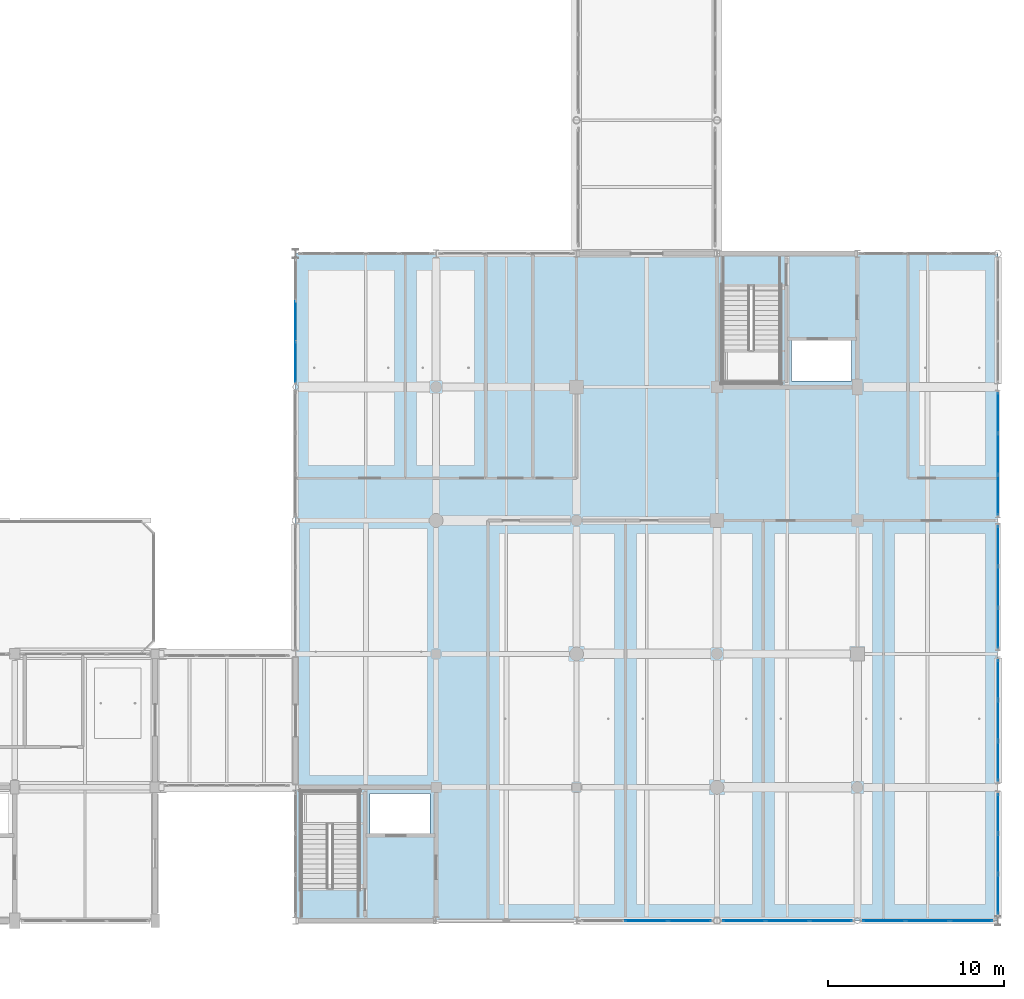
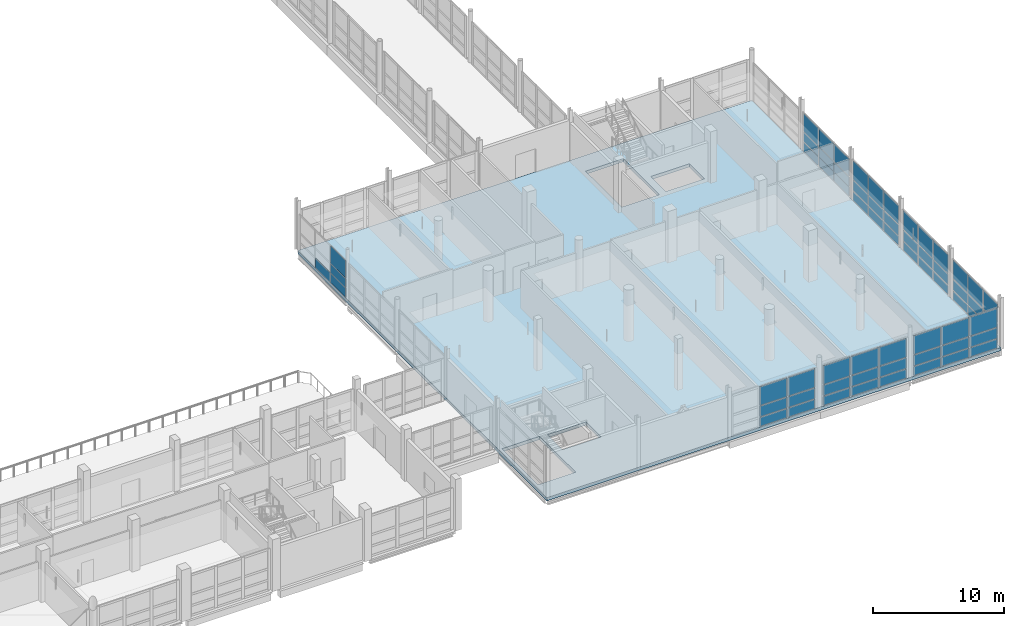
# One storey, part 74 of 147: 64 plates, 1 slab, 8 elements without a shape of their own.
"""IFC4 building model written with IfcOpenShell, lengths in metres."""

from ifc_helpers import new_model, si_unit, direction, frame, origin, origin_2d, place, context, subcontext, project, spatial, polyline, rectangle, outline, extrude, material, layer, layer_set, type_object, element, aggregate, save


model = new_model("IFC4")

# Units and contexts
model_context = context("Model", 3, precision=1e-05, world=origin(), true_north=direction((0.0, 1.0)))
body_context = subcontext(model_context, "Body", "Model", "MODEL_VIEW")
ifc_project = project(units=[si_unit("LENGTHUNIT", "METRE"), si_unit("AREAUNIT", "SQUARE_METRE"), si_unit("VOLUMEUNIT", "CUBIC_METRE"), si_unit("PLANEANGLEUNIT", "RADIAN"), si_unit("MASSUNIT", "GRAM", prefix="KILO")], contexts=[model_context])

# Site, building, storey
site_placement = place(None, origin())
site = spatial("IfcSite", under=ifc_project, at=site_placement, CompositionType="ELEMENT")
building_placement = place(site_placement, origin())
building = spatial("IfcBuilding", under=site, at=building_placement, Name="Khelvaren Railside Concert Hall", CompositionType="ELEMENT")
storey_placement = place(building_placement, frame((0.0, 0.0, 5.39990234375)))
storey = spatial("IfcBuildingStorey", under=building, at=storey_placement, Name="L01", CompositionType="ELEMENT", Elevation=5.39990234375)

# Curtain wall, plates
ifc_material_1 = material(Name="Triple-glazed solar-control glass", Category="glass")
curtain_wall_type_1 = type_object("IfcCurtainWallType", Name="CW41", PredefinedType="USERDEFINED", material=ifc_material_1)
curtain_wall_1_placement = place(storey_placement, origin())
curtain_wall_1 = element("IfcCurtainWall", 1, at=curtain_wall_1_placement, inside=storey, type_object=curtain_wall_type_1, Name="Unitised Curtain Wall CW-V2-L01-E-15", ObjectType="UNITISED CURTAIN WALL", PredefinedType="USERDEFINED")
ifc_layer_1 = layer(ifc_material_1, 0.035888671875)
ifc_layer_set_1 = layer_set([ifc_layer_1], Name="Triple-glazed solar-control glass")
plate_type_1 = type_object("IfcPlateType", Name="CWP53", PredefinedType="CURTAIN_PANEL", material=ifc_layer_set_1)
plate_1_placement = place(storey_placement, frame((184.0, 21.349609375, 0.0751953125), z_axis=(0.0, 0.0, 1.0), x_axis=(0.0, -1.0, 0.0)))
plate_1 = element("IfcPlate", 2, at=plate_1_placement, type_object=plate_type_1, Name="CW41 panel 1.1", PredefinedType="CURTAIN_PANEL", context=body_context, shape_type="SweptSolid", body=[
    extrude(rectangle(XDim=2.245849609375, YDim=0.035888671875, at=origin_2d()), origin(), (0.0, 0.0, 1.0), 0.83740234375),
])
plate_2_placement = place(storey_placement, frame((184.0, 21.349609375, 0.987548828125), z_axis=(0.0, 0.0, 1.0), x_axis=(0.0, -1.0, 0.0)))
plate_2 = element("IfcPlate", 3, at=plate_2_placement, type_object=plate_type_1, Name="CW41 panel 1.2", PredefinedType="CURTAIN_PANEL", context=body_context, shape_type="SweptSolid", body=[
    extrude(rectangle(XDim=2.245849609375, YDim=0.035888671875, at=origin_2d()), origin(), (0.0, 0.0, 1.0), 0.97705078125),
])
plate_3_placement = place(storey_placement, frame((184.0, 21.349609375, 2.03955078125), z_axis=(0.0, 0.0, 1.0), x_axis=(0.0, -1.0, 0.0)))
plate_3 = element("IfcPlate", 4, at=plate_3_placement, type_object=plate_type_1, Name="CW41 panel 1.3", PredefinedType="CURTAIN_PANEL", context=body_context, shape_type="SweptSolid", body=[
    extrude(rectangle(XDim=2.245849609375, YDim=0.035888671875, at=origin_2d()), origin(), (0.0, 0.0, 1.0), 1.735595703125),
])
plate_4_placement = place(storey_placement, frame((184.0, 19.010009765625, 0.0751953125), z_axis=(0.0, 0.0, 1.0), x_axis=(0.0, -1.0, 0.0)))
plate_4 = element("IfcPlate", 5, at=plate_4_placement, type_object=plate_type_1, Name="CW41 panel 2.1", PredefinedType="CURTAIN_PANEL", context=body_context, shape_type="SweptSolid", body=[
    extrude(rectangle(XDim=2.283447265625, YDim=0.035888671875, at=origin_2d()), origin(), (0.0, 0.0, 1.0), 0.83740234375),
])
plate_5_placement = place(storey_placement, frame((184.0, 19.010009765625, 0.987548828125), z_axis=(0.0, 0.0, 1.0), x_axis=(0.0, -1.0, 0.0)))
plate_5 = element("IfcPlate", 6, at=plate_5_placement, type_object=plate_type_1, Name="CW41 panel 2.2", PredefinedType="CURTAIN_PANEL", context=body_context, shape_type="SweptSolid", body=[
    extrude(rectangle(XDim=2.283447265625, YDim=0.035888671875, at=origin_2d()), origin(), (0.0, 0.0, 1.0), 0.97705078125),
])
plate_6_placement = place(storey_placement, frame((184.0, 19.010009765625, 2.03955078125), z_axis=(0.0, 0.0, 1.0), x_axis=(0.0, -1.0, 0.0)))
plate_6 = element("IfcPlate", 7, at=plate_6_placement, type_object=plate_type_1, Name="CW41 panel 2.3", PredefinedType="CURTAIN_PANEL", context=body_context, shape_type="SweptSolid", body=[
    extrude(rectangle(XDim=2.283447265625, YDim=0.035888671875, at=origin_2d()), origin(), (0.0, 0.0, 1.0), 1.735595703125),
])
plate_7_placement = place(storey_placement, frame((184.0, 16.67041015625, 0.0751953125), z_axis=(0.0, 0.0, 1.0), x_axis=(0.0, -1.0, 0.0)))
plate_7 = element("IfcPlate", 8, at=plate_7_placement, type_object=plate_type_1, Name="CW41 panel 3.1", PredefinedType="CURTAIN_PANEL", context=body_context, shape_type="SweptSolid", body=[
    extrude(rectangle(XDim=2.245849609375, YDim=0.035888671875, at=origin_2d()), origin(), (0.0, 0.0, 1.0), 0.83740234375),
])
plate_8_placement = place(storey_placement, frame((184.0, 16.67041015625, 0.987548828125), z_axis=(0.0, 0.0, 1.0), x_axis=(0.0, -1.0, 0.0)))
plate_8 = element("IfcPlate", 9, at=plate_8_placement, type_object=plate_type_1, Name="CW41 panel 3.2", PredefinedType="CURTAIN_PANEL", context=body_context, shape_type="SweptSolid", body=[
    extrude(rectangle(XDim=2.245849609375, YDim=0.035888671875, at=origin_2d()), origin(), (0.0, 0.0, 1.0), 0.97705078125),
])
plate_9_placement = place(storey_placement, frame((184.0, 16.67041015625, 2.03955078125), z_axis=(0.0, 0.0, 1.0), x_axis=(0.0, -1.0, 0.0)))
plate_9 = element("IfcPlate", 10, at=plate_9_placement, type_object=plate_type_1, Name="CW41 panel 3.3", PredefinedType="CURTAIN_PANEL", context=body_context, shape_type="SweptSolid", body=[
    extrude(rectangle(XDim=2.245849609375, YDim=0.035888671875, at=origin_2d()), origin(), (0.0, 0.0, 1.0), 1.735595703125),
])
aggregate(curtain_wall_1, [plate_1, plate_2, plate_3, plate_4, plate_5, plate_6, plate_7, plate_8, plate_9])

curtain_wall_type_2 = type_object("IfcCurtainWallType", Name="CW88", PredefinedType="USERDEFINED", material=ifc_material_1)
curtain_wall_2_placement = place(storey_placement, origin())
curtain_wall_2 = element("IfcCurtainWall", 11, at=curtain_wall_2_placement, inside=storey, type_object=curtain_wall_type_2, Name="Unitised Curtain Wall CW-V2-L01-E-23", ObjectType="UNITISED CURTAIN WALL", PredefinedType="USERDEFINED")
plate_10_placement = place(storey_placement, frame((184.0, 28.933837890625, 0.0751953125), z_axis=(0.0, 0.0, 1.0), x_axis=(0.0, -1.0, 0.0)))
plate_10 = element("IfcPlate", 12, at=plate_10_placement, type_object=plate_type_1, Name="CW88 panel 1.1", PredefinedType="CURTAIN_PANEL", context=body_context, shape_type="SweptSolid", body=[
    extrude(rectangle(XDim=2.24755859375, YDim=0.035888671875, at=origin_2d()), origin(), (0.0, 0.0, 1.0), 0.83740234375),
])
plate_11_placement = place(storey_placement, frame((184.0, 28.933837890625, 0.987548828125), z_axis=(0.0, 0.0, 1.0), x_axis=(0.0, -1.0, 0.0)))
plate_11 = element("IfcPlate", 13, at=plate_11_placement, type_object=plate_type_1, Name="CW88 panel 1.2", PredefinedType="CURTAIN_PANEL", context=body_context, shape_type="SweptSolid", body=[
    extrude(rectangle(XDim=2.24755859375, YDim=0.035888671875, at=origin_2d()), origin(), (0.0, 0.0, 1.0), 0.873046875),
])
plate_12_placement = place(storey_placement, frame((184.0, 28.933837890625, 1.935546875), z_axis=(0.0, 0.0, 1.0), x_axis=(0.0, -1.0, 0.0)))
plate_12 = element("IfcPlate", 14, at=plate_12_placement, type_object=plate_type_1, Name="CW88 panel 1.3", PredefinedType="CURTAIN_PANEL", context=body_context, shape_type="SweptSolid", body=[
    extrude(rectangle(XDim=2.24755859375, YDim=0.035888671875, at=origin_2d()), origin(), (0.0, 0.0, 1.0), 1.639404296875),
])
plate_13_placement = place(storey_placement, frame((184.0, 26.592529296875, 0.0751953125), z_axis=(0.0, 0.0, 1.0), x_axis=(0.0, -1.0, 0.0)))
plate_13 = element("IfcPlate", 15, at=plate_13_placement, type_object=plate_type_1, Name="CW88 panel 2.1", PredefinedType="CURTAIN_PANEL", context=body_context, shape_type="SweptSolid", body=[
    extrude(rectangle(XDim=2.284912109375, YDim=0.035888671875, at=origin_2d()), origin(), (0.0, 0.0, 1.0), 0.83740234375),
])
plate_14_placement = place(storey_placement, frame((184.0, 26.592529296875, 0.987548828125), z_axis=(0.0, 0.0, 1.0), x_axis=(0.0, -1.0, 0.0)))
plate_14 = element("IfcPlate", 16, at=plate_14_placement, type_object=plate_type_1, Name="CW88 panel 2.2", PredefinedType="CURTAIN_PANEL", context=body_context, shape_type="SweptSolid", body=[
    extrude(rectangle(XDim=2.284912109375, YDim=0.035888671875, at=origin_2d()), origin(), (0.0, 0.0, 1.0), 0.873046875),
])
plate_15_placement = place(storey_placement, frame((184.0, 26.592529296875, 1.935546875), z_axis=(0.0, 0.0, 1.0), x_axis=(0.0, -1.0, 0.0)))
plate_15 = element("IfcPlate", 17, at=plate_15_placement, type_object=plate_type_1, Name="CW88 panel 2.3", PredefinedType="CURTAIN_PANEL", context=body_context, shape_type="SweptSolid", body=[
    extrude(rectangle(XDim=2.284912109375, YDim=0.035888671875, at=origin_2d()), origin(), (0.0, 0.0, 1.0), 1.639404296875),
])
plate_16_placement = place(storey_placement, frame((184.0, 24.251220703125, 0.0751953125), z_axis=(0.0, 0.0, 1.0), x_axis=(0.0, -1.0, 0.0)))
plate_16 = element("IfcPlate", 18, at=plate_16_placement, type_object=plate_type_1, Name="CW88 panel 3.1", PredefinedType="CURTAIN_PANEL", context=body_context, shape_type="SweptSolid", body=[
    extrude(rectangle(XDim=2.24755859375, YDim=0.035888671875, at=origin_2d()), origin(), (0.0, 0.0, 1.0), 0.83740234375),
])
plate_17_placement = place(storey_placement, frame((184.0, 24.251220703125, 0.987548828125), z_axis=(0.0, 0.0, 1.0), x_axis=(0.0, -1.0, 0.0)))
plate_17 = element("IfcPlate", 19, at=plate_17_placement, type_object=plate_type_1, Name="CW88 panel 3.2", PredefinedType="CURTAIN_PANEL", context=body_context, shape_type="SweptSolid", body=[
    extrude(rectangle(XDim=2.24755859375, YDim=0.035888671875, at=origin_2d()), origin(), (0.0, 0.0, 1.0), 0.873046875),
])
plate_18_placement = place(storey_placement, frame((184.0, 24.251220703125, 1.935546875), z_axis=(0.0, 0.0, 1.0), x_axis=(0.0, -1.0, 0.0)))
plate_18 = element("IfcPlate", 20, at=plate_18_placement, type_object=plate_type_1, Name="CW88 panel 3.3", PredefinedType="CURTAIN_PANEL", context=body_context, shape_type="SweptSolid", body=[
    extrude(rectangle(XDim=2.24755859375, YDim=0.035888671875, at=origin_2d()), origin(), (0.0, 0.0, 1.0), 1.639404296875),
])
aggregate(curtain_wall_2, [plate_10, plate_11, plate_12, plate_13, plate_14, plate_15, plate_16, plate_17, plate_18])

ifc_material_2 = material(Name="Acoustic laminated crystal facade glass", Category="glass")
curtain_wall_type_3 = type_object("IfcCurtainWallType", Name="CW66", PredefinedType="USERDEFINED", material=ifc_material_2)
curtain_wall_3_placement = place(storey_placement, origin())
curtain_wall_3 = element("IfcCurtainWall", 21, at=curtain_wall_3_placement, inside=storey, type_object=curtain_wall_type_3, Name="Unitised Curtain Wall CW-V2-L01-S-160", ObjectType="UNITISED CURTAIN WALL", PredefinedType="USERDEFINED")
ifc_layer_2 = layer(ifc_material_2, 0.0400390625)
ifc_layer_set_2 = layer_set([ifc_layer_2], Name="Acoustic laminated crystal facade glass")
plate_type_2 = type_object("IfcPlateType", Name="CWP77", PredefinedType="CURTAIN_PANEL", material=ifc_layer_set_2)
plate_19_placement = place(storey_placement, frame((166.449462890625, 0.0, 0.0849609375), z_axis=(0.0, 0.0, 1.0), x_axis=(-1.0, 0.0, 0.0)))
plate_19 = element("IfcPlate", 22, at=plate_19_placement, type_object=plate_type_2, Name="CW66 panel 1.1", PredefinedType="CURTAIN_PANEL", context=body_context, shape_type="SweptSolid", body=[
    extrude(rectangle(XDim=2.369873046875, YDim=0.0400390625, at=origin_2d()), origin(), (0.0, 0.0, 1.0), 0.822509765625),
])
plate_20_placement = place(storey_placement, frame((166.449462890625, 0.0, 0.99267578125), z_axis=(0.0, 0.0, 1.0), x_axis=(-1.0, 0.0, 0.0)))
plate_20 = element("IfcPlate", 23, at=plate_20_placement, type_object=plate_type_2, Name="CW66 panel 1.2", PredefinedType="CURTAIN_PANEL", context=body_context, shape_type="SweptSolid", body=[
    extrude(rectangle(XDim=2.369873046875, YDim=0.0400390625, at=origin_2d()), origin(), (0.0, 0.0, 1.0), 0.967041015625),
])
plate_21_placement = place(storey_placement, frame((166.449462890625, 0.0, 2.04443359375), z_axis=(0.0, 0.0, 1.0), x_axis=(-1.0, 0.0, 0.0)))
plate_21 = element("IfcPlate", 24, at=plate_21_placement, type_object=plate_type_2, Name="CW66 panel 1.3", PredefinedType="CURTAIN_PANEL", context=body_context, shape_type="SweptSolid", body=[
    extrude(rectangle(XDim=2.369873046875, YDim=0.0400390625, at=origin_2d()), origin(), (0.0, 0.0, 1.0), 1.720458984375),
])
plate_22_placement = place(storey_placement, frame((163.973388671875, 0.0, 0.0849609375), z_axis=(0.0, 0.0, 1.0), x_axis=(-1.0, 0.0, 0.0)))
plate_22 = element("IfcPlate", 25, at=plate_22_placement, type_object=plate_type_2, Name="CW66 panel 2.1", PredefinedType="CURTAIN_PANEL", context=body_context, shape_type="SweptSolid", body=[
    extrude(rectangle(XDim=2.412353515625, YDim=0.0400390625, at=origin_2d()), origin(), (0.0, 0.0, 1.0), 0.822509765625),
])
plate_23_placement = place(storey_placement, frame((163.973388671875, 0.0, 0.99267578125), z_axis=(0.0, 0.0, 1.0), x_axis=(-1.0, 0.0, 0.0)))
plate_23 = element("IfcPlate", 26, at=plate_23_placement, type_object=plate_type_2, Name="CW66 panel 2.2", PredefinedType="CURTAIN_PANEL", context=body_context, shape_type="SweptSolid", body=[
    extrude(rectangle(XDim=2.412353515625, YDim=0.0400390625, at=origin_2d()), origin(), (0.0, 0.0, 1.0), 0.967041015625),
])
plate_24_placement = place(storey_placement, frame((163.973388671875, 0.0, 2.04443359375), z_axis=(0.0, 0.0, 1.0), x_axis=(-1.0, 0.0, 0.0)))
plate_24 = element("IfcPlate", 27, at=plate_24_placement, type_object=plate_type_2, Name="CW66 panel 2.3", PredefinedType="CURTAIN_PANEL", context=body_context, shape_type="SweptSolid", body=[
    extrude(rectangle(XDim=2.412353515625, YDim=0.0400390625, at=origin_2d()), origin(), (0.0, 0.0, 1.0), 1.720458984375),
])
aggregate(curtain_wall_3, [plate_19, plate_20, plate_21, plate_22, plate_23, plate_24])

curtain_wall_type_4 = type_object("IfcCurtainWallType", Name="CW21", PredefinedType="USERDEFINED", material=ifc_material_2)
curtain_wall_4_placement = place(storey_placement, origin())
curtain_wall_4 = element("IfcCurtainWall", 28, at=curtain_wall_4_placement, inside=storey, type_object=curtain_wall_type_4, Name="Unitised Curtain Wall CW-V2-L01-S-168", ObjectType="UNITISED CURTAIN WALL", PredefinedType="USERDEFINED")
plate_25_placement = place(storey_placement, frame((174.49267578125, 0.0, 0.0849609375), z_axis=(0.0, 0.0, 1.0), x_axis=(-1.0, 0.0, 0.0)))
plate_25 = element("IfcPlate", 29, at=plate_25_placement, type_object=plate_type_2, Name="CW21 panel 1.1", PredefinedType="CURTAIN_PANEL", context=body_context, shape_type="SweptSolid", body=[
    extrude(rectangle(XDim=2.36572265625, YDim=0.0400390625, at=origin_2d()), origin(), (0.0, 0.0, 1.0), 0.822509765625),
])
plate_26_placement = place(storey_placement, frame((174.49267578125, 0.0, 0.99267578125), z_axis=(0.0, 0.0, 1.0), x_axis=(-1.0, 0.0, 0.0)))
plate_26 = element("IfcPlate", 30, at=plate_26_placement, type_object=plate_type_2, Name="CW21 panel 1.2", PredefinedType="CURTAIN_PANEL", context=body_context, shape_type="SweptSolid", body=[
    extrude(rectangle(XDim=2.36572265625, YDim=0.0400390625, at=origin_2d()), origin(), (0.0, 0.0, 1.0), 0.967041015625),
])
plate_27_placement = place(storey_placement, frame((174.49267578125, 0.0, 2.04443359375), z_axis=(0.0, 0.0, 1.0), x_axis=(-1.0, 0.0, 0.0)))
plate_27 = element("IfcPlate", 31, at=plate_27_placement, type_object=plate_type_2, Name="CW21 panel 1.3", PredefinedType="CURTAIN_PANEL", context=body_context, shape_type="SweptSolid", body=[
    extrude(rectangle(XDim=2.36572265625, YDim=0.0400390625, at=origin_2d()), origin(), (0.0, 0.0, 1.0), 1.720458984375),
])
plate_28_placement = place(storey_placement, frame((172.0205078125, 0.0, 0.0849609375), z_axis=(0.0, 0.0, 1.0), x_axis=(-1.0, 0.0, 0.0)))
plate_28 = element("IfcPlate", 32, at=plate_28_placement, type_object=plate_type_2, Name="CW21 panel 2.1", PredefinedType="CURTAIN_PANEL", context=body_context, shape_type="SweptSolid", body=[
    extrude(rectangle(XDim=2.408203125, YDim=0.0400390625, at=origin_2d()), origin(), (0.0, 0.0, 1.0), 0.822509765625),
])
plate_29_placement = place(storey_placement, frame((172.0205078125, 0.0, 0.99267578125), z_axis=(0.0, 0.0, 1.0), x_axis=(-1.0, 0.0, 0.0)))
plate_29 = element("IfcPlate", 33, at=plate_29_placement, type_object=plate_type_2, Name="CW21 panel 2.2", PredefinedType="CURTAIN_PANEL", context=body_context, shape_type="SweptSolid", body=[
    extrude(rectangle(XDim=2.408203125, YDim=0.0400390625, at=origin_2d()), origin(), (0.0, 0.0, 1.0), 0.967041015625),
])
plate_30_placement = place(storey_placement, frame((172.0205078125, 0.0, 2.04443359375), z_axis=(0.0, 0.0, 1.0), x_axis=(-1.0, 0.0, 0.0)))
plate_30 = element("IfcPlate", 34, at=plate_30_placement, type_object=plate_type_2, Name="CW21 panel 2.3", PredefinedType="CURTAIN_PANEL", context=body_context, shape_type="SweptSolid", body=[
    extrude(rectangle(XDim=2.408203125, YDim=0.0400390625, at=origin_2d()), origin(), (0.0, 0.0, 1.0), 1.720458984375),
])
plate_31_placement = place(storey_placement, frame((169.548583984375, 0.0, 0.0849609375), z_axis=(0.0, 0.0, 1.0), x_axis=(-1.0, 0.0, 0.0)))
plate_31 = element("IfcPlate", 35, at=plate_31_placement, type_object=plate_type_2, Name="CW21 panel 3.1", PredefinedType="CURTAIN_PANEL", context=body_context, shape_type="SweptSolid", body=[
    extrude(rectangle(XDim=2.36572265625, YDim=0.0400390625, at=origin_2d()), origin(), (0.0, 0.0, 1.0), 0.822509765625),
])
plate_32_placement = place(storey_placement, frame((169.548583984375, 0.0, 0.99267578125), z_axis=(0.0, 0.0, 1.0), x_axis=(-1.0, 0.0, 0.0)))
plate_32 = element("IfcPlate", 36, at=plate_32_placement, type_object=plate_type_2, Name="CW21 panel 3.2", PredefinedType="CURTAIN_PANEL", context=body_context, shape_type="SweptSolid", body=[
    extrude(rectangle(XDim=2.36572265625, YDim=0.0400390625, at=origin_2d()), origin(), (0.0, 0.0, 1.0), 0.967041015625),
])
plate_33_placement = place(storey_placement, frame((169.548583984375, 0.0, 2.04443359375), z_axis=(0.0, 0.0, 1.0), x_axis=(-1.0, 0.0, 0.0)))
plate_33 = element("IfcPlate", 37, at=plate_33_placement, type_object=plate_type_2, Name="CW21 panel 3.3", PredefinedType="CURTAIN_PANEL", context=body_context, shape_type="SweptSolid", body=[
    extrude(rectangle(XDim=2.36572265625, YDim=0.0400390625, at=origin_2d()), origin(), (0.0, 0.0, 1.0), 1.720458984375),
])
aggregate(curtain_wall_4, [plate_25, plate_26, plate_27, plate_28, plate_29, plate_30, plate_31, plate_32, plate_33])

curtain_wall_type_5 = type_object("IfcCurtainWallType", Name="CW15", PredefinedType="USERDEFINED", material=ifc_material_2)
curtain_wall_5_placement = place(storey_placement, origin())
curtain_wall_5 = element("IfcCurtainWall", 38, at=curtain_wall_5_placement, inside=storey, type_object=curtain_wall_type_5, Name="Unitised Curtain Wall CW-V2-L01-S-176", ObjectType="UNITISED CURTAIN WALL", PredefinedType="USERDEFINED")
plate_34_placement = place(storey_placement, frame((182.495849609375, 0.0, 0.0849609375), z_axis=(0.0, 0.0, 1.0), x_axis=(-1.0, 0.0, 0.0)))
plate_34 = element("IfcPlate", 39, at=plate_34_placement, type_object=plate_type_2, Name="CW15 panel 1.1", PredefinedType="CURTAIN_PANEL", context=body_context, shape_type="SweptSolid", body=[
    extrude(rectangle(XDim=2.383544921875, YDim=0.0400390625, at=origin_2d()), origin(), (0.0, 0.0, 1.0), 0.822509765625),
])
plate_35_placement = place(storey_placement, frame((182.495849609375, 0.0, 0.99267578125), z_axis=(0.0, 0.0, 1.0), x_axis=(-1.0, 0.0, 0.0)))
plate_35 = element("IfcPlate", 40, at=plate_35_placement, type_object=plate_type_2, Name="CW15 panel 1.2", PredefinedType="CURTAIN_PANEL", context=body_context, shape_type="SweptSolid", body=[
    extrude(rectangle(XDim=2.383544921875, YDim=0.0400390625, at=origin_2d()), origin(), (0.0, 0.0, 1.0), 0.967041015625),
])
plate_36_placement = place(storey_placement, frame((182.495849609375, 0.0, 2.04443359375), z_axis=(0.0, 0.0, 1.0), x_axis=(-1.0, 0.0, 0.0)))
plate_36 = element("IfcPlate", 41, at=plate_36_placement, type_object=plate_type_2, Name="CW15 panel 1.3", PredefinedType="CURTAIN_PANEL", context=body_context, shape_type="SweptSolid", body=[
    extrude(rectangle(XDim=2.383544921875, YDim=0.0400390625, at=origin_2d()), origin(), (0.0, 0.0, 1.0), 1.720458984375),
])
plate_37_placement = place(storey_placement, frame((180.006103515625, 0.0, 0.0849609375), z_axis=(0.0, 0.0, 1.0), x_axis=(-1.0, 0.0, 0.0)))
plate_37 = element("IfcPlate", 42, at=plate_37_placement, type_object=plate_type_2, Name="CW15 panel 2.1", PredefinedType="CURTAIN_PANEL", context=body_context, shape_type="SweptSolid", body=[
    extrude(rectangle(XDim=2.426025390625, YDim=0.0400390625, at=origin_2d()), origin(), (0.0, 0.0, 1.0), 0.822509765625),
])
plate_38_placement = place(storey_placement, frame((180.006103515625, 0.0, 0.99267578125), z_axis=(0.0, 0.0, 1.0), x_axis=(-1.0, 0.0, 0.0)))
plate_38 = element("IfcPlate", 43, at=plate_38_placement, type_object=plate_type_2, Name="CW15 panel 2.2", PredefinedType="CURTAIN_PANEL", context=body_context, shape_type="SweptSolid", body=[
    extrude(rectangle(XDim=2.426025390625, YDim=0.0400390625, at=origin_2d()), origin(), (0.0, 0.0, 1.0), 0.967041015625),
])
plate_39_placement = place(storey_placement, frame((180.006103515625, 0.0, 2.04443359375), z_axis=(0.0, 0.0, 1.0), x_axis=(-1.0, 0.0, 0.0)))
plate_39 = element("IfcPlate", 44, at=plate_39_placement, type_object=plate_type_2, Name="CW15 panel 2.3", PredefinedType="CURTAIN_PANEL", context=body_context, shape_type="SweptSolid", body=[
    extrude(rectangle(XDim=2.426025390625, YDim=0.0400390625, at=origin_2d()), origin(), (0.0, 0.0, 1.0), 1.720458984375),
])
plate_40_placement = place(storey_placement, frame((177.516357421875, 0.0, 0.0849609375), z_axis=(0.0, 0.0, 1.0), x_axis=(-1.0, 0.0, 0.0)))
plate_40 = element("IfcPlate", 45, at=plate_40_placement, type_object=plate_type_2, Name="CW15 panel 3.1", PredefinedType="CURTAIN_PANEL", context=body_context, shape_type="SweptSolid", body=[
    extrude(rectangle(XDim=2.383544921875, YDim=0.0400390625, at=origin_2d()), origin(), (0.0, 0.0, 1.0), 0.822509765625),
])
plate_41_placement = place(storey_placement, frame((177.516357421875, 0.0, 0.99267578125), z_axis=(0.0, 0.0, 1.0), x_axis=(-1.0, 0.0, 0.0)))
plate_41 = element("IfcPlate", 46, at=plate_41_placement, type_object=plate_type_2, Name="CW15 panel 3.2", PredefinedType="CURTAIN_PANEL", context=body_context, shape_type="SweptSolid", body=[
    extrude(rectangle(XDim=2.383544921875, YDim=0.0400390625, at=origin_2d()), origin(), (0.0, 0.0, 1.0), 0.967041015625),
])
plate_42_placement = place(storey_placement, frame((177.516357421875, 0.0, 2.04443359375), z_axis=(0.0, 0.0, 1.0), x_axis=(-1.0, 0.0, 0.0)))
plate_42 = element("IfcPlate", 47, at=plate_42_placement, type_object=plate_type_2, Name="CW15 panel 3.3", PredefinedType="CURTAIN_PANEL", context=body_context, shape_type="SweptSolid", body=[
    extrude(rectangle(XDim=2.383544921875, YDim=0.0400390625, at=origin_2d()), origin(), (0.0, 0.0, 1.0), 1.720458984375),
])
aggregate(curtain_wall_5, [plate_34, plate_35, plate_36, plate_37, plate_38, plate_39, plate_40, plate_41, plate_42])

curtain_wall_6_placement = place(storey_placement, origin())
curtain_wall_6 = element("IfcCurtainWall", 48, at=curtain_wall_6_placement, inside=storey, type_object=curtain_wall_type_5, Name="Unitised Curtain Wall CW-V2-L01-E-0", ObjectType="UNITISED CURTAIN WALL", PredefinedType="USERDEFINED")
plate_43_placement = place(storey_placement, frame((184.0, 6.114501953125, 0.0849609375), z_axis=(0.0, 0.0, 1.0), x_axis=(0.0, -1.0, 0.0)))
plate_43 = element("IfcPlate", 49, at=plate_43_placement, type_object=plate_type_2, Name="CW15 panel 1.1", PredefinedType="CURTAIN_PANEL", context=body_context, shape_type="SweptSolid", body=[
    extrude(rectangle(XDim=2.19580078125, YDim=0.0400390625, at=origin_2d()), origin(), (0.0, 0.0, 1.0), 0.822509765625),
])
plate_44_placement = place(storey_placement, frame((184.0, 6.114501953125, 0.99267578125), z_axis=(0.0, 0.0, 1.0), x_axis=(0.0, -1.0, 0.0)))
plate_44 = element("IfcPlate", 50, at=plate_44_placement, type_object=plate_type_2, Name="CW15 panel 1.2", PredefinedType="CURTAIN_PANEL", context=body_context, shape_type="SweptSolid", body=[
    extrude(rectangle(XDim=2.19580078125, YDim=0.0400390625, at=origin_2d()), origin(), (0.0, 0.0, 1.0), 0.967041015625),
])
plate_45_placement = place(storey_placement, frame((184.0, 6.114501953125, 2.04443359375), z_axis=(0.0, 0.0, 1.0), x_axis=(0.0, -1.0, 0.0)))
plate_45 = element("IfcPlate", 51, at=plate_45_placement, type_object=plate_type_2, Name="CW15 panel 1.3", PredefinedType="CURTAIN_PANEL", context=body_context, shape_type="SweptSolid", body=[
    extrude(rectangle(XDim=2.19580078125, YDim=0.0400390625, at=origin_2d()), origin(), (0.0, 0.0, 1.0), 1.720458984375),
])
plate_46_placement = place(storey_placement, frame((184.0, 3.8125, 0.0849609375), z_axis=(0.0, 0.0, 1.0), x_axis=(0.0, -1.0, 0.0)))
plate_46 = element("IfcPlate", 52, at=plate_46_placement, type_object=plate_type_2, Name="CW15 panel 2.1", PredefinedType="CURTAIN_PANEL", context=body_context, shape_type="SweptSolid", body=[
    extrude(rectangle(XDim=2.23828125, YDim=0.0400390625, at=origin_2d()), origin(), (0.0, 0.0, 1.0), 0.822509765625),
])
plate_47_placement = place(storey_placement, frame((184.0, 3.8125, 0.99267578125), z_axis=(0.0, 0.0, 1.0), x_axis=(0.0, -1.0, 0.0)))
plate_47 = element("IfcPlate", 53, at=plate_47_placement, type_object=plate_type_2, Name="CW15 panel 2.2", PredefinedType="CURTAIN_PANEL", context=body_context, shape_type="SweptSolid", body=[
    extrude(rectangle(XDim=2.23828125, YDim=0.0400390625, at=origin_2d()), origin(), (0.0, 0.0, 1.0), 0.967041015625),
])
plate_48_placement = place(storey_placement, frame((184.0, 3.8125, 2.04443359375), z_axis=(0.0, 0.0, 1.0), x_axis=(0.0, -1.0, 0.0)))
plate_48 = element("IfcPlate", 54, at=plate_48_placement, type_object=plate_type_2, Name="CW15 panel 2.3", PredefinedType="CURTAIN_PANEL", context=body_context, shape_type="SweptSolid", body=[
    extrude(rectangle(XDim=2.23828125, YDim=0.0400390625, at=origin_2d()), origin(), (0.0, 0.0, 1.0), 1.720458984375),
])
plate_49_placement = place(storey_placement, frame((184.0, 1.510498046875, 0.0849609375), z_axis=(0.0, 0.0, 1.0), x_axis=(0.0, -1.0, 0.0)))
plate_49 = element("IfcPlate", 55, at=plate_49_placement, type_object=plate_type_2, Name="CW15 panel 3.1", PredefinedType="CURTAIN_PANEL", context=body_context, shape_type="SweptSolid", body=[
    extrude(rectangle(XDim=2.19580078125, YDim=0.0400390625, at=origin_2d()), origin(), (0.0, 0.0, 1.0), 0.822509765625),
])
plate_50_placement = place(storey_placement, frame((184.0, 1.510498046875, 0.99267578125), z_axis=(0.0, 0.0, 1.0), x_axis=(0.0, -1.0, 0.0)))
plate_50 = element("IfcPlate", 56, at=plate_50_placement, type_object=plate_type_2, Name="CW15 panel 3.2", PredefinedType="CURTAIN_PANEL", context=body_context, shape_type="SweptSolid", body=[
    extrude(rectangle(XDim=2.19580078125, YDim=0.0400390625, at=origin_2d()), origin(), (0.0, 0.0, 1.0), 0.967041015625),
])
plate_51_placement = place(storey_placement, frame((184.0, 1.510498046875, 2.04443359375), z_axis=(0.0, 0.0, 1.0), x_axis=(0.0, -1.0, 0.0)))
plate_51 = element("IfcPlate", 57, at=plate_51_placement, type_object=plate_type_2, Name="CW15 panel 3.3", PredefinedType="CURTAIN_PANEL", context=body_context, shape_type="SweptSolid", body=[
    extrude(rectangle(XDim=2.19580078125, YDim=0.0400390625, at=origin_2d()), origin(), (0.0, 0.0, 1.0), 1.720458984375),
])
aggregate(curtain_wall_6, [plate_43, plate_44, plate_45, plate_46, plate_47, plate_48, plate_49, plate_50, plate_51])

curtain_wall_type_6 = type_object("IfcCurtainWallType", Name="CW54", PredefinedType="USERDEFINED", material=ifc_material_2)
curtain_wall_7_placement = place(storey_placement, origin())
curtain_wall_7 = element("IfcCurtainWall", 58, at=curtain_wall_7_placement, inside=storey, type_object=curtain_wall_type_6, Name="Unitised Curtain Wall CW-V2-L01-E-8", ObjectType="UNITISED CURTAIN WALL", PredefinedType="USERDEFINED")
plate_52_placement = place(storey_placement, frame((184.0, 13.731201171875, 0.0849609375), z_axis=(0.0, 0.0, 1.0), x_axis=(0.0, -1.0, 0.0)))
plate_52 = element("IfcPlate", 59, at=plate_52_placement, type_object=plate_type_2, Name="CW54 panel 1.1", PredefinedType="CURTAIN_PANEL", context=body_context, shape_type="SweptSolid", body=[
    extrude(rectangle(XDim=2.21240234375, YDim=0.0400390625, at=origin_2d()), origin(), (0.0, 0.0, 1.0), 0.822509765625),
])
plate_53_placement = place(storey_placement, frame((184.0, 13.731201171875, 0.99267578125), z_axis=(0.0, 0.0, 1.0), x_axis=(0.0, -1.0, 0.0)))
plate_53 = element("IfcPlate", 60, at=plate_53_placement, type_object=plate_type_2, Name="CW54 panel 1.2", PredefinedType="CURTAIN_PANEL", context=body_context, shape_type="SweptSolid", body=[
    extrude(rectangle(XDim=2.21240234375, YDim=0.0400390625, at=origin_2d()), origin(), (0.0, 0.0, 1.0), 0.967041015625),
])
plate_54_placement = place(storey_placement, frame((184.0, 13.731201171875, 2.04443359375), z_axis=(0.0, 0.0, 1.0), x_axis=(0.0, -1.0, 0.0)))
plate_54 = element("IfcPlate", 61, at=plate_54_placement, type_object=plate_type_2, Name="CW54 panel 1.3", PredefinedType="CURTAIN_PANEL", context=body_context, shape_type="SweptSolid", body=[
    extrude(rectangle(XDim=2.21240234375, YDim=0.0400390625, at=origin_2d()), origin(), (0.0, 0.0, 1.0), 1.720458984375),
])
plate_55_placement = place(storey_placement, frame((184.0, 11.41259765625, 0.0849609375), z_axis=(0.0, 0.0, 1.0), x_axis=(0.0, -1.0, 0.0)))
plate_55 = element("IfcPlate", 62, at=plate_55_placement, type_object=plate_type_2, Name="CW54 panel 2.1", PredefinedType="CURTAIN_PANEL", context=body_context, shape_type="SweptSolid", body=[
    extrude(rectangle(XDim=2.2548828125, YDim=0.0400390625, at=origin_2d()), origin(), (0.0, 0.0, 1.0), 0.822509765625),
])
plate_56_placement = place(storey_placement, frame((184.0, 11.41259765625, 0.99267578125), z_axis=(0.0, 0.0, 1.0), x_axis=(0.0, -1.0, 0.0)))
plate_56 = element("IfcPlate", 63, at=plate_56_placement, type_object=plate_type_2, Name="CW54 panel 2.2", PredefinedType="CURTAIN_PANEL", context=body_context, shape_type="SweptSolid", body=[
    extrude(rectangle(XDim=2.2548828125, YDim=0.0400390625, at=origin_2d()), origin(), (0.0, 0.0, 1.0), 0.967041015625),
])
plate_57_placement = place(storey_placement, frame((184.0, 11.41259765625, 2.04443359375), z_axis=(0.0, 0.0, 1.0), x_axis=(0.0, -1.0, 0.0)))
plate_57 = element("IfcPlate", 64, at=plate_57_placement, type_object=plate_type_2, Name="CW54 panel 2.3", PredefinedType="CURTAIN_PANEL", context=body_context, shape_type="SweptSolid", body=[
    extrude(rectangle(XDim=2.2548828125, YDim=0.0400390625, at=origin_2d()), origin(), (0.0, 0.0, 1.0), 1.720458984375),
])
plate_58_placement = place(storey_placement, frame((184.0, 9.09375, 0.0849609375), z_axis=(0.0, 0.0, 1.0), x_axis=(0.0, -1.0, 0.0)))
plate_58 = element("IfcPlate", 65, at=plate_58_placement, type_object=plate_type_2, Name="CW54 panel 3.1", PredefinedType="CURTAIN_PANEL", context=body_context, shape_type="SweptSolid", body=[
    extrude(rectangle(XDim=2.21240234375, YDim=0.0400390625, at=origin_2d()), origin(), (0.0, 0.0, 1.0), 0.822509765625),
])
plate_59_placement = place(storey_placement, frame((184.0, 9.09375, 0.99267578125), z_axis=(0.0, 0.0, 1.0), x_axis=(0.0, -1.0, 0.0)))
plate_59 = element("IfcPlate", 66, at=plate_59_placement, type_object=plate_type_2, Name="CW54 panel 3.2", PredefinedType="CURTAIN_PANEL", context=body_context, shape_type="SweptSolid", body=[
    extrude(rectangle(XDim=2.21240234375, YDim=0.0400390625, at=origin_2d()), origin(), (0.0, 0.0, 1.0), 0.967041015625),
])
plate_60_placement = place(storey_placement, frame((184.0, 9.09375, 2.04443359375), z_axis=(0.0, 0.0, 1.0), x_axis=(0.0, -1.0, 0.0)))
plate_60 = element("IfcPlate", 67, at=plate_60_placement, type_object=plate_type_2, Name="CW54 panel 3.3", PredefinedType="CURTAIN_PANEL", context=body_context, shape_type="SweptSolid", body=[
    extrude(rectangle(XDim=2.21240234375, YDim=0.0400390625, at=origin_2d()), origin(), (0.0, 0.0, 1.0), 1.720458984375),
])
aggregate(curtain_wall_7, [plate_52, plate_53, plate_54, plate_55, plate_56, plate_57, plate_58, plate_59, plate_60])

ifc_material_3 = material(Name="Double-glazed low-E dark acoustic glass", Category="glass")
curtain_wall_type_7 = type_object("IfcCurtainWallType", Name="CW65", PredefinedType="USERDEFINED", material=ifc_material_3)
curtain_wall_8_placement = place(storey_placement, origin())
curtain_wall_8 = element("IfcCurtainWall", 68, at=curtain_wall_8_placement, inside=storey, type_object=curtain_wall_type_7, Name="Unitised Curtain Wall CW-V2-L01-W-30", ObjectType="UNITISED CURTAIN WALL", PredefinedType="USERDEFINED")
ifc_layer_3 = layer(ifc_material_3, 0.031982421875)
ifc_layer_set_3 = layer_set([ifc_layer_3], Name="Double-glazed low-E dark acoustic glass")
plate_type_3 = type_object("IfcPlateType", Name="CWP84", PredefinedType="CURTAIN_PANEL", material=ifc_layer_set_3)
plate_61_placement = place(storey_placement, frame((144.0, 31.8212890625, 0.065185546875), z_axis=(0.0, 0.0, 1.0), x_axis=(0.0, 1.0, 0.0)))
plate_61 = element("IfcPlate", 69, at=plate_61_placement, type_object=plate_type_3, Name="CW65 panel 1.1", PredefinedType="CURTAIN_PANEL", context=body_context, shape_type="SweptSolid", body=[
    extrude(rectangle(XDim=2.25341796875, YDim=0.031982421875, at=origin_2d()), origin(), (0.0, 0.0, 1.0), 0.8525390625),
])
plate_62_placement = place(storey_placement, frame((144.0, 31.8212890625, 0.982666015625), z_axis=(0.0, 0.0, 1.0), x_axis=(0.0, 1.0, 0.0)))
plate_62 = element("IfcPlate", 70, at=plate_62_placement, type_object=plate_type_3, Name="CW65 panel 1.2", PredefinedType="CURTAIN_PANEL", context=body_context, shape_type="SweptSolid", body=[
    extrude(rectangle(XDim=2.25341796875, YDim=0.031982421875, at=origin_2d()), origin(), (0.0, 0.0, 1.0), 0.8310546875),
])
plate_63_placement = place(storey_placement, frame((144.0, 31.8212890625, 1.878662109375), z_axis=(0.0, 0.0, 1.0), x_axis=(0.0, 1.0, 0.0)))
plate_63 = element("IfcPlate", 71, at=plate_63_placement, type_object=plate_type_3, Name="CW65 panel 1.3", PredefinedType="CURTAIN_PANEL", context=body_context, shape_type="SweptSolid", body=[
    extrude(rectangle(XDim=2.25341796875, YDim=0.031982421875, at=origin_2d()), origin(), (0.0, 0.0, 1.0), 1.6064453125),
])
plate_64_placement = place(storey_placement, frame((144.0, 34.156005859375, 0.065185546875), z_axis=(0.0, 0.0, 1.0), x_axis=(0.0, 1.0, 0.0)))
plate_64 = element("IfcPlate", 72, at=plate_64_placement, type_object=plate_type_3, Name="CW65 panel 2.1", PredefinedType="CURTAIN_PANEL", context=body_context, shape_type="SweptSolid", body=[
    extrude(rectangle(XDim=2.285888671875, YDim=0.031982421875, at=origin_2d()), origin(), (0.0, 0.0, 1.0), 0.8525390625),
])
aggregate(curtain_wall_8, [plate_61, plate_62, plate_63, plate_64])

# Slab
ifc_material_4 = material(Name="Concrete C40/50", Category="concrete")
ifc_layer_4 = layer(ifc_material_4, 0.300048828125)
ifc_layer_set_4 = layer_set([ifc_layer_4], Name="Concrete C40/50")
slab_type = type_object("IfcSlabType", Name="FS86", PredefinedType="FLOOR", material=ifc_layer_set_4)
slab_placement = place(storey_placement, frame((0.0, 0.0, -0.2998046875)))
element("IfcSlab", 73, at=slab_placement, inside=storey, type_object=slab_type, Name="V2 L01 Structural Floor Slab", PredefinedType="FLOOR", context=body_context, shape_type="SweptSolid", body=[
    extrude(outline(polyline([(144.0, 0.0), (184.0, 0.0), (184.0, 38.0), (144.0, 38.0), (144.0, 0.0)]), holes=[polyline([(147.6201171875, 1.840087890625), (147.6201171875, 7.360107421875), (144.300048828125, 7.360107421875), (144.300048828125, 1.840087890625), (147.6201171875, 1.840087890625)]), polyline([(148.25, 4.949951171875), (151.64990234375, 4.949951171875), (151.64990234375, 7.25), (148.25, 7.25), (148.25, 4.949951171875)]), polyline([(168.300048828125, 36.159912109375), (168.300048828125, 30.639892578125), (171.6201171875, 30.639892578125), (171.6201171875, 36.159912109375), (168.300048828125, 36.159912109375)]), polyline([(172.25, 30.75), (175.64990234375, 30.75), (175.64990234375, 33.050048828125), (172.25, 33.050048828125), (172.25, 30.75)])]), origin(), (0.0, 0.0, 1.0), 0.2998046875),
])

save(model, "model.ifc")
